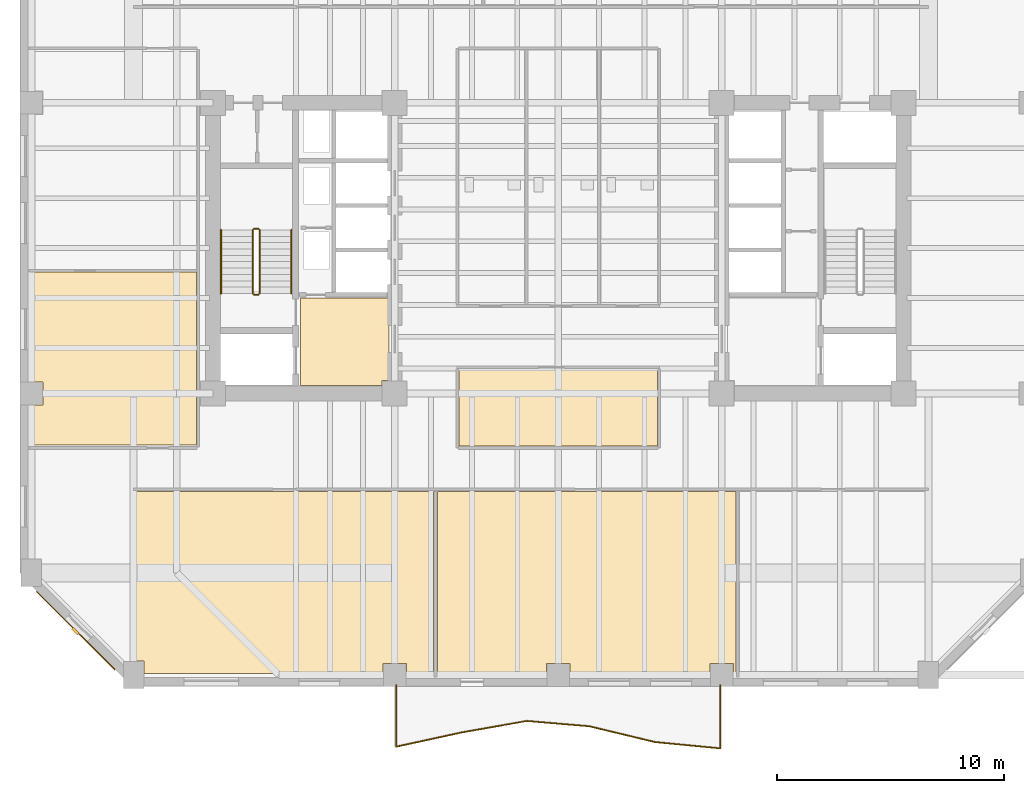
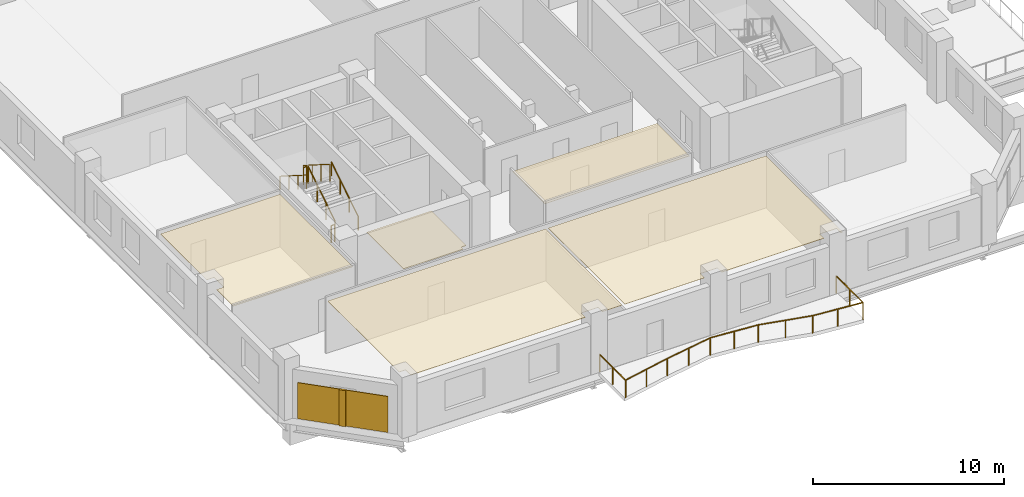
# One storey, part 7 of 11: 7 railings, 6 coverings, 1 shading device.
"""IFC4 building model written with IfcOpenShell, lengths in metres."""

from ifc_helpers import new_model, si_unit, direction, frame, origin, origin_2d, place, context, subcontext, project, spatial, polyline, rectangle, circle, outline, extrude, material, layer, layer_set, type_object, element, save


model = new_model("IFC4")

# Units and contexts
model_context = context("Model", 3, precision=1e-05, world=origin(), true_north=direction((0.0, 1.0)))
body_context = subcontext(model_context, "Body", "Model", "MODEL_VIEW")
ifc_project = project(units=[si_unit("LENGTHUNIT", "METRE"), si_unit("AREAUNIT", "SQUARE_METRE"), si_unit("VOLUMEUNIT", "CUBIC_METRE"), si_unit("PLANEANGLEUNIT", "RADIAN"), si_unit("MASSUNIT", "GRAM", prefix="KILO")], contexts=[model_context])

# Site, building, storey
site_placement = place(None, origin())
site = spatial("IfcSite", under=ifc_project, at=site_placement, CompositionType="ELEMENT")
building_placement = place(site_placement, origin())
building = spatial("IfcBuilding", under=site, at=building_placement, Name="Kranthara Brick Stack", CompositionType="ELEMENT")
storey_placement = place(building_placement, frame((0.0, 0.0, 94.5)))
storey = spatial("IfcBuildingStorey", under=building, at=storey_placement, Name="L23", CompositionType="ELEMENT", Elevation=94.5)

# Coverings
ifc_material_1 = material(Name="Perforated mineral-fibre acoustic ceiling tile", Category="other")
ifc_layer_1 = layer(ifc_material_1, 0.02490234375)
ifc_layer_set_1 = layer_set([ifc_layer_1], Name="Perforated mineral-fibre acoustic ceiling tile")
covering_type_1 = type_object("IfcCoveringType", Name="COV-CEIL-ACOUSTIC", PredefinedType="CEILING", material=ifc_layer_set_1)
covering_1_placement = place(storey_placement, frame((0.0, 0.0, 3.330078125)))
element("IfcCovering", 1, at=covering_1_placement, inside=storey, type_object=covering_type_1, Name="L23 L23 Central Executive Briefing Room Acoustic Ceiling", PredefinedType="CEILING", context=body_context, shape_type="SweptSolid", body=[
    extrude(outline(polyline([(32.3701171875, 18.47998046875), (32.3701171875, 21.8798828125), (23.6298828125, 21.8798828125), (23.6298828125, 18.47998046875), (32.3701171875, 18.47998046875)])), origin(), (0.0, 0.0, 1.0), 0.02490234375),
])
covering_2_placement = place(storey_placement, frame((0.0, 0.0, 3.330078125)))
element("IfcCovering", 2, at=covering_2_placement, inside=storey, type_object=covering_type_1, Name="L23 L23 Open Plan Workspace 1 Acoustic Ceiling", PredefinedType="CEILING", context=body_context, shape_type="SweptSolid", body=[
    extrude(outline(polyline([(22.52001953125, 16.47998046875), (22.52001953125, 8.469970703125), (21.31005859375, 8.469970703125), (21.31005859375, 8.909912109375), (20.2900390625, 8.909912109375), (20.2900390625, 8.469970703125), (9.760009765625, 8.469970703125), (9.760009765625, 9.010009765625), (9.3798828125, 9.010009765625), (9.3798828125, 16.47998046875), (22.52001953125, 16.47998046875)])), origin(), (0.0, 0.0, 1.0), 0.02490234375),
])
covering_3_placement = place(storey_placement, frame((0.0, 0.0, 3.330078125)))
element("IfcCovering", 3, at=covering_3_placement, inside=storey, type_object=covering_type_1, Name="L23 L23 Collaboration Lounge 2 Acoustic Ceiling", PredefinedType="CEILING", context=body_context, shape_type="SweptSolid", body=[
    extrude(outline(polyline([(22.679931640625, 16.47998046875), (35.820068359375, 16.47998046875), (35.820068359375, 8.469970703125), (35.7099609375, 8.469970703125), (35.7099609375, 8.909912109375), (34.68994140625, 8.909912109375), (34.68994140625, 8.469970703125), (28.510009765625, 8.469970703125), (28.510009765625, 8.909912109375), (27.489990234375, 8.909912109375), (27.489990234375, 8.469970703125), (22.679931640625, 8.469970703125), (22.679931640625, 16.47998046875)])), origin(), (0.0, 0.0, 1.0), 0.02490234375),
])
covering_4_placement = place(storey_placement, frame((0.0, 0.0, 3.330078125)))
element("IfcCovering", 4, at=covering_4_placement, inside=storey, type_object=covering_type_1, Name="L23 L23 West Executive Office 1 Acoustic Ceiling", PredefinedType="CEILING", context=body_context, shape_type="SweptSolid", body=[
    extrude(outline(polyline([(4.8701171875, 26.139892578125), (12.080078125, 26.139892578125), (12.080078125, 18.5400390625), (4.8701171875, 18.5400390625), (4.8701171875, 20.2900390625), (5.31005859375, 20.2900390625), (5.31005859375, 21.31005859375), (4.8701171875, 21.31005859375), (4.8701171875, 26.139892578125)])), origin(), (0.0, 0.0, 1.0), 0.02490234375),
])
ifc_material_2 = material(Name="Warm buff kiln-fired brick slip rainscreen", Category="masonry")
ifc_layer_2 = layer(ifc_material_2, 0.044921875)
ifc_layer_set_2 = layer_set([ifc_layer_2], Name="Warm buff kiln-fired brick slip rainscreen")
covering_type_2 = type_object("IfcCoveringType", Name="COV-CLAD-BRICK", PredefinedType="CLADDING", material=ifc_layer_set_2)
covering_5_placement = place(storey_placement, frame((6.756591796875, 10.3564453125, 0.0498046875), z_axis=(0.0, 0.0, 1.0), x_axis=(-0.707106781187, 0.707106781187, 0.0)))
element("IfcCovering", 5, at=covering_5_placement, inside=storey, type_object=covering_type_2, Name="L23 Chamfer Brick Rainscreen Cladding SW", PredefinedType="CLADDING", context=body_context, shape_type="SweptSolid", body=[
    extrude(rectangle(XDim=4.876953125, YDim=0.044921875, at=origin_2d()), origin(), (0.0, 0.0, 1.0), 2.300048828125),
])
ifc_material_3 = material(Name="Honed terrazzo and porcelain floor finish", Category="stone")
ifc_layer_3 = layer(ifc_material_3, 0.030029296875)
ifc_layer_set_3 = layer_set([ifc_layer_3], Name="Honed terrazzo and porcelain floor finish")
covering_type_3 = type_object("IfcCoveringType", Name="COV-FLOR-STONE", PredefinedType="FLOORING", material=ifc_layer_set_3)
covering_6_placement = place(storey_placement, origin())
element("IfcCovering", 6, at=covering_6_placement, inside=storey, type_object=covering_type_3, Name="L23 Lift Lobby Stone Flooring", PredefinedType="FLOORING", context=body_context, shape_type="SweptSolid", body=[
    extrude(outline(polyline([(16.64990234375, 21.14990234375), (16.64990234375, 25.0), (20.550048828125, 25.0), (20.550048828125, 21.360107421875), (20.239990234375, 21.360107421875), (20.239990234375, 21.14990234375), (16.64990234375, 21.14990234375)])), origin(), (0.0, 0.0, 1.0), 0.030029296875),
])

# Railings
ifc_material_4 = material(Name="Bronze anodised aluminium and laminated glass balustrade", Category="aluminium")
railing_type_1 = type_object("IfcRailingType", Name="RL-BALC-1120", PredefinedType="BALUSTRADE", material=ifc_material_4)
railing_1_placement = place(storey_placement, frame((35.139892578125, 7.9599609375, 0.0)))
element("IfcRailing", 7, at=railing_1_placement, inside=storey, type_object=railing_type_1, Name="L23 South Rippling Balcony Balustrade", PredefinedType="BALUSTRADE", context=body_context, shape_type="SweptSolid", body=[
    extrude(circle(Radius=0.02392578125, at=origin_2d()), frame((0.0, 0.0, 1.09619140625), z_axis=(0.000262582048, -0.999999965525, 0.0), x_axis=(0.999999965525, 0.000262582048, 0.0)), (0.0, 0.0, 1.0), 2.789306640625),
    extrude(circle(Radius=0.02392578125, at=origin_2d()), frame((0.000732421875, -2.789306640625, 1.09619140625), z_axis=(-0.995418147335, 0.095617529541, 0.0), x_axis=(-0.095617529541, -0.995418147335, 0.0)), (0.0, 0.0, 1.0), 2.892822265625),
    extrude(circle(Radius=0.02392578125, at=origin_2d()), frame((-2.87890625, -2.5126953125, 1.09619140625), z_axis=(-0.972162501707, 0.234307640242, 0.0), x_axis=(-0.234307640242, -0.972162501707, 0.0)), (0.0, 0.0, 1.0), 2.96337890625),
    extrude(circle(Radius=0.02392578125, at=origin_2d()), frame((-5.759765625, -1.818359375, 1.09619140625), z_axis=(-0.996377222681, 0.085043695373, 0.0), x_axis=(-0.085043695373, -0.996377222681, 0.0)), (0.0, 0.0, 1.0), 2.770263671875),
    extrude(circle(Radius=0.02392578125, at=origin_2d()), frame((-8.52001953125, -1.582763671875, 1.09619140625), z_axis=(-0.984823872038, -0.173556737303, 0.0), x_axis=(0.173556737303, -0.984823872038, 0.0)), (0.0, 0.0, 1.0), 2.924560546875),
    extrude(circle(Radius=0.02392578125, at=origin_2d()), frame((-11.400146484375, -2.09033203125, 1.09619140625), z_axis=(-0.977086582249, -0.212842220409, 0.0), x_axis=(0.212842220409, -0.977086582249, 0.0)), (0.0, 0.0, 1.0), 2.947998046875),
    extrude(circle(Radius=0.02392578125, at=origin_2d()), frame((-14.280517578125, -2.7177734375, 1.09619140625), z_axis=(0.000269493343, 0.999999963687, 0.0), x_axis=(-0.999999963687, 0.000269493343, 0.0)), (0.0, 0.0, 1.0), 2.7177734375),
    extrude(circle(Radius=0.02099609375, at=origin_2d()), origin(), (0.0, 0.0, 1.0), 1.072021484375),
    extrude(circle(Radius=0.02099609375, at=origin_2d()), frame((0.00048828125, -1.39453125, 0.0)), (0.0, 0.0, 1.0), 1.072021484375),
    extrude(circle(Radius=0.02099609375, at=origin_2d()), frame((0.000732421875, -2.789306640625, 0.0)), (0.0, 0.0, 1.0), 1.072021484375),
    extrude(circle(Radius=0.02099609375, at=origin_2d()), frame((-1.43896484375, -2.65087890625, 0.0)), (0.0, 0.0, 1.0), 1.072021484375),
    extrude(circle(Radius=0.02099609375, at=origin_2d()), frame((-2.87890625, -2.5126953125, 0.0)), (0.0, 0.0, 1.0), 1.072021484375),
    extrude(circle(Radius=0.02099609375, at=origin_2d()), frame((-4.3193359375, -2.16552734375, 0.0)), (0.0, 0.0, 1.0), 1.072021484375),
    extrude(circle(Radius=0.02099609375, at=origin_2d()), frame((-5.759765625, -1.818359375, 0.0)), (0.0, 0.0, 1.0), 1.072021484375),
    extrude(circle(Radius=0.02099609375, at=origin_2d()), frame((-7.139892578125, -1.70068359375, 0.0)), (0.0, 0.0, 1.0), 1.072021484375),
    extrude(circle(Radius=0.02099609375, at=origin_2d()), frame((-8.52001953125, -1.582763671875, 0.0)), (0.0, 0.0, 1.0), 1.072021484375),
    extrude(circle(Radius=0.02099609375, at=origin_2d()), frame((-9.9599609375, -1.83642578125, 0.0)), (0.0, 0.0, 1.0), 1.072021484375),
    extrude(circle(Radius=0.02099609375, at=origin_2d()), frame((-11.400146484375, -2.09033203125, 0.0)), (0.0, 0.0, 1.0), 1.072021484375),
    extrude(circle(Radius=0.02099609375, at=origin_2d()), frame((-12.84033203125, -2.404052734375, 0.0)), (0.0, 0.0, 1.0), 1.072021484375),
    extrude(circle(Radius=0.02099609375, at=origin_2d()), frame((-14.280517578125, -2.7177734375, 0.0)), (0.0, 0.0, 1.0), 1.072021484375),
    extrude(circle(Radius=0.02099609375, at=origin_2d()), frame((-14.2802734375, -1.35888671875, 0.0)), (0.0, 0.0, 1.0), 1.072021484375),
    extrude(circle(Radius=0.02099609375, at=origin_2d()), frame((-14.27978515625, 0.0, 0.0)), (0.0, 0.0, 1.0), 1.072021484375),
])
ifc_material_5 = material(Name="Painted galvanized steel stair guardrail", Category="steel")
railing_type_2 = type_object("IfcRailingType", Name="RL-STAIR-GUARD-1100", PredefinedType="GUARDRAIL", material=ifc_material_5)
railing_2_placement = place(storey_placement, frame((14.85009765625, 25.199951171875, 0.17724609375)))
element("IfcRailing", 8, at=railing_2_placement, inside=storey, type_object=railing_type_2, Name="L23 ST01 stair guard 1", PredefinedType="GUARDRAIL", context=body_context, shape_type="SweptSolid", body=[
    extrude(circle(Radius=0.02392578125, at=origin_2d()), frame((0.0, 0.0, 1.076171875), z_axis=(0.0, 0.844908973607, 0.534910110503), x_axis=(-1.0, 0.0, 0.0)), (0.0, 0.0, 1.0), 3.31396484375),
    extrude(circle(Radius=0.02099609375, at=origin_2d()), origin(), (0.0, 0.0, 1.0), 1.052001953125),
    extrude(circle(Radius=0.02099609375, at=origin_2d()), frame((0.0, 0.933349609375, 0.5908203125)), (0.0, 0.0, 1.0), 1.052001953125),
    extrude(circle(Radius=0.02099609375, at=origin_2d()), frame((0.0, 1.86669921875, 1.181884765625)), (0.0, 0.0, 1.0), 1.052001953125),
    extrude(circle(Radius=0.02099609375, at=origin_2d()), frame((0.0, 2.800048828125, 1.772705078125)), (0.0, 0.0, 1.0), 1.052001953125),
])
railing_3_placement = place(storey_placement, frame((14.800048828125, 28.050048828125, 1.949951171875)))
element("IfcRailing", 9, at=railing_3_placement, inside=storey, type_object=railing_type_2, Name="L23 ST01 stair guard 2", PredefinedType="GUARDRAIL", context=body_context, shape_type="SweptSolid", body=[
    extrude(circle(Radius=0.02392578125, at=origin_2d()), frame((0.0, 0.0, 1.076171875), z_axis=(-1.0, 0.0, 0.0), x_axis=(0.0, -1.0, 0.0)), (0.0, 0.0, 1.0), 0.199951171875),
    extrude(circle(Radius=0.02099609375, at=origin_2d()), origin(), (0.0, 0.0, 1.0), 1.052001953125),
    extrude(circle(Radius=0.02099609375, at=origin_2d()), frame((-0.199951171875, 0.0, 0.0)), (0.0, 0.0, 1.0), 1.052001953125),
])
railing_4_placement = place(storey_placement, frame((14.550048828125, 28.0, 2.127197265625)))
element("IfcRailing", 10, at=railing_4_placement, inside=storey, type_object=railing_type_2, Name="L23 ST01 stair guard 3", PredefinedType="GUARDRAIL", context=body_context, shape_type="SweptSolid", body=[
    extrude(circle(Radius=0.02392578125, at=origin_2d()), frame((0.0, 0.0, 1.076171875), z_axis=(0.0, -0.844908973607, 0.534910110503), x_axis=(1.0, 0.0, 0.0)), (0.0, 0.0, 1.0), 3.31396484375),
    extrude(circle(Radius=0.02099609375, at=origin_2d()), origin(), (0.0, 0.0, 1.0), 1.052001953125),
    extrude(circle(Radius=0.02099609375, at=origin_2d()), frame((0.0, -0.933349609375, 0.5908203125)), (0.0, 0.0, 1.0), 1.052001953125),
    extrude(circle(Radius=0.02099609375, at=origin_2d()), frame((0.0, -1.86669921875, 1.181884765625)), (0.0, 0.0, 1.0), 1.052001953125),
    extrude(circle(Radius=0.02099609375, at=origin_2d()), frame((0.0, -2.800048828125, 1.772705078125)), (0.0, 0.0, 1.0), 1.052001953125),
])
railing_5_placement = place(storey_placement, frame((14.800048828125, 25.14990234375, 0.0)))
element("IfcRailing", 11, at=railing_5_placement, inside=storey, type_object=railing_type_2, Name="L23 ST01 stair guard 4", PredefinedType="GUARDRAIL", context=body_context, shape_type="SweptSolid", body=[
    extrude(circle(Radius=0.02392578125, at=origin_2d()), frame((0.0, 0.0, 1.076171875), z_axis=(-1.0, 0.0, 0.0), x_axis=(0.0, -1.0, 0.0)), (0.0, 0.0, 1.0), 0.199951171875),
    extrude(circle(Radius=0.02099609375, at=origin_2d()), origin(), (0.0, 0.0, 1.0), 1.052001953125),
    extrude(circle(Radius=0.02099609375, at=origin_2d()), frame((-0.199951171875, 0.0, 0.0)), (0.0, 0.0, 1.0), 1.052001953125),
])
ifc_material_6 = material(Name="Brushed stainless steel tubular handrail", Category="steel")
railing_type_3 = type_object("IfcRailingType", Name="RL-STAIR-HAND-900", PredefinedType="HANDRAIL", material=ifc_material_6)
railing_6_placement = place(storey_placement, frame((16.25, 25.199951171875, 0.17724609375)))
element("IfcRailing", 12, at=railing_6_placement, inside=storey, type_object=railing_type_3, Name="L23 ST01 stair handrail 1", PredefinedType="HANDRAIL", context=body_context, shape_type="SweptSolid", body=[
    extrude(circle(Radius=0.02392578125, at=origin_2d()), frame((0.0, 0.0, 0.8759765625), z_axis=(0.0, 0.844908973607, 0.534910110503), x_axis=(-1.0, 0.0, 0.0)), (0.0, 0.0, 1.0), 3.31396484375),
    extrude(circle(Radius=0.02099609375, at=origin_2d()), origin(), (0.0, 0.0, 1.0), 0.851806640625),
    extrude(circle(Radius=0.02099609375, at=origin_2d()), frame((0.0, 0.933349609375, 0.5908203125)), (0.0, 0.0, 1.0), 0.851806640625),
    extrude(circle(Radius=0.02099609375, at=origin_2d()), frame((0.0, 1.86669921875, 1.181884765625)), (0.0, 0.0, 1.0), 0.851806640625),
    extrude(circle(Radius=0.02099609375, at=origin_2d()), frame((0.0, 2.800048828125, 1.772705078125)), (0.0, 0.0, 1.0), 0.851806640625),
])
railing_7_placement = place(storey_placement, frame((13.14990234375, 28.0, 2.127197265625)))
element("IfcRailing", 13, at=railing_7_placement, inside=storey, type_object=railing_type_3, Name="L23 ST01 stair handrail 2", PredefinedType="HANDRAIL", context=body_context, shape_type="SweptSolid", body=[
    extrude(circle(Radius=0.02392578125, at=origin_2d()), frame((0.0, 0.0, 0.8759765625), z_axis=(0.0, -0.844908973607, 0.534910110503), x_axis=(1.0, 0.0, 0.0)), (0.0, 0.0, 1.0), 3.31396484375),
    extrude(circle(Radius=0.02099609375, at=origin_2d()), origin(), (0.0, 0.0, 1.0), 0.851806640625),
    extrude(circle(Radius=0.02099609375, at=origin_2d()), frame((0.0, -0.933349609375, 0.5908203125)), (0.0, 0.0, 1.0), 0.851806640625),
    extrude(circle(Radius=0.02099609375, at=origin_2d()), frame((0.0, -1.86669921875, 1.181884765625)), (0.0, 0.0, 1.0), 0.851806640625),
    extrude(circle(Radius=0.02099609375, at=origin_2d()), frame((0.0, -2.800048828125, 1.772705078125)), (0.0, 0.0, 1.0), 0.851806640625),
])

# Shading device
ifc_material_7 = material(Name="Kiln-fired terracotta aerodynamic wind fin", Category="masonry")
shading_device_type = type_object("IfcShadingDeviceType", Name="SHD-BAFFLE-CORNER", PredefinedType="SHUTTER", material=ifc_material_7)
shading_device_placement = place(storey_placement, frame((6.7353515625, 10.335205078125, 0.0498046875), z_axis=(0.0, 0.0, 1.0), x_axis=(-0.707106781187, 0.707106781187, 0.0)))
element("IfcShadingDevice", 14, at=shading_device_placement, inside=storey, type_object=shading_device_type, Name="L23 Chamfer Wind-Baffle Fin SW", PredefinedType="SHUTTER", context=body_context, shape_type="SweptSolid", body=[
    extrude(rectangle(XDim=0.35009765625, YDim=0.1201171875, at=origin_2d()), origin(), (0.0, 0.0, 1.0), 2.300048828125),
])

save(model, "model.ifc")
